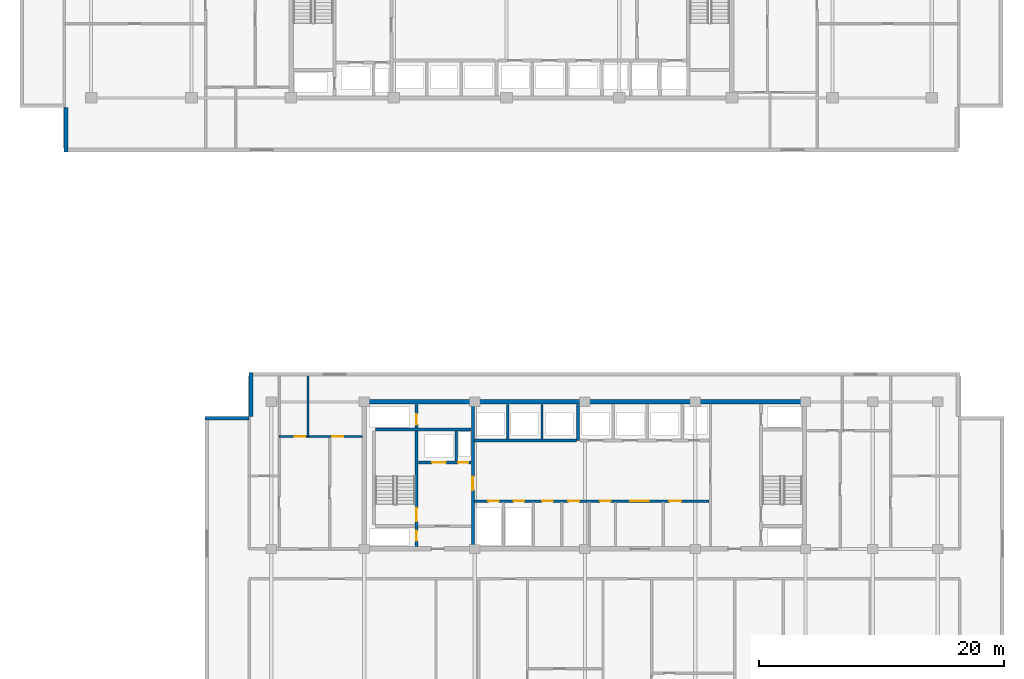
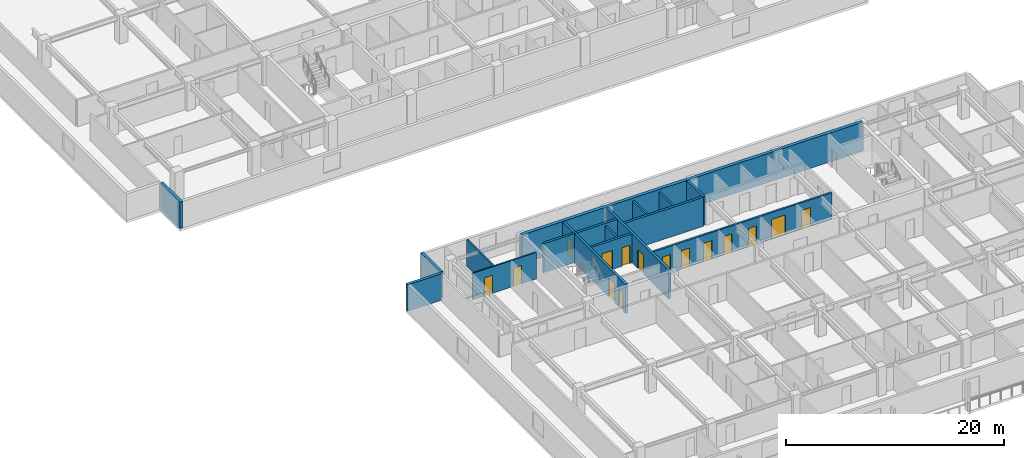
# One storey, part 6 of 21: 16 walls, 15 doors, 15 openings.
"""IFC4 building model written with IfcOpenShell, lengths in metres."""

from ifc_helpers import new_model, si_unit, direction, frame, frame_2d, origin, place, context, subcontext, project, spatial, rectangle, extrude, material, layer, layer_set, type_object, element, fill, save


model = new_model("IFC4")

# Units and contexts
model_context = context("Model", 3, precision=1e-05, world=origin(), true_north=direction((0.0, 1.0)))
body_context = subcontext(model_context, "Body", "Model", "MODEL_VIEW")
ifc_project = project(units=[si_unit("LENGTHUNIT", "METRE"), si_unit("AREAUNIT", "SQUARE_METRE"), si_unit("VOLUMEUNIT", "CUBIC_METRE"), si_unit("PLANEANGLEUNIT", "RADIAN"), si_unit("MASSUNIT", "GRAM", prefix="KILO")], contexts=[model_context])

# Site, building, storey
site_placement = place(None, origin())
site = spatial("IfcSite", under=ifc_project, at=site_placement, CompositionType="ELEMENT")
building_placement = place(site_placement, origin())
building = spatial("IfcBuilding", under=site, at=building_placement, Name="Korimba Cascade Residences", CompositionType="ELEMENT")
storey_placement = place(building_placement, frame((0.0, 0.0, 97.050048828125)))
storey = spatial("IfcBuildingStorey", under=building, at=storey_placement, Name="L27", CompositionType="ELEMENT", Elevation=97.050048828125)

# Walls
ifc_material_1 = material(Name="Precast concrete C40/50", Category="concrete")
ifc_layer_1 = layer(ifc_material_1, 0.300048828125)
ifc_layer_set_1 = layer_set([ifc_layer_1], Name="Precast concrete C40/50")
wall_type_1 = type_object("IfcWallType", Name="EW-STONE-300", PredefinedType="STANDARD", material=ifc_layer_set_1)
wall_1_placement = place(storey_placement, frame((57.75, 54.39990234375, 0.0), z_axis=(0.0, 0.0, 1.0), x_axis=(0.0, -1.0, 0.0)))
element("IfcWall", 1, at=wall_1_placement, inside=storey, type_object=wall_type_1, Name="L27 T1 Perimeter Stone Wall E11", PredefinedType="STANDARD", context=body_context, shape_type="SweptSolid", body=[
    extrude(rectangle(XDim=3.599853515625, YDim=0.300048828125, at=frame_2d((1.7998046875, 0.0))), origin(), (0.0, 0.0, 1.0), 2.969970703125),
])
wall_2_placement = place(storey_placement, frame((72.85009765625, 32.800048828125, 0.0), z_axis=(0.0, 0.0, 1.0), x_axis=(0.0, -1.0, 0.0)))
element("IfcWall", 2, at=wall_2_placement, inside=storey, type_object=wall_type_1, Name="L27 T2 Perimeter Stone Wall E07", PredefinedType="STANDARD", context=body_context, shape_type="SweptSolid", body=[
    extrude(rectangle(XDim=3.60009765625, YDim=0.300048828125, at=frame_2d((1.800048828125, 0.0))), origin(), (0.0, 0.0, 1.0), 2.969970703125),
])
wall_3_placement = place(storey_placement, frame((72.699951171875, 29.050048828125, 0.0), z_axis=(0.0, 0.0, 1.0), x_axis=(-1.0, 0.0, 0.0)))
element("IfcWall", 3, at=wall_3_placement, inside=storey, type_object=wall_type_1, Name="L27 T2 Perimeter Stone Wall E08", PredefinedType="STANDARD", context=body_context, shape_type="SweptSolid", body=[
    extrude(rectangle(XDim=3.599853515625, YDim=0.300048828125, at=frame_2d((1.7998046875, 0.0))), origin(), (0.0, 0.0, 1.0), 2.969970703125),
])
ifc_material_2 = material(Name="Concrete C65/80", Category="concrete")
ifc_layer_2 = layer(ifc_material_2, 0.35009765625)
ifc_layer_set_2 = layer_set([ifc_layer_2], Name="Concrete C65/80")
wall_type_2 = type_object("IfcWallType", Name="WAL-CORE-350", PredefinedType="SHEAR", material=ifc_layer_set_2)
wall_4_placement = place(storey_placement, frame((81.925048828125, 30.39990234375, 0.0), z_axis=(0.0, 0.0, 1.0), x_axis=(1.0, 0.0, 0.0)))
element("IfcWall", 4, at=wall_4_placement, inside=storey, type_object=wall_type_2, Name="L27 Core Shear Wall CW-L27-T2-N", PredefinedType="SHEAR", context=body_context, shape_type="SweptSolid", body=[
    extrude(rectangle(XDim=36.264892578125, YDim=0.35009765625, at=frame_2d((18.13232421875, 0.0))), origin(), (0.0, 0.0, 1.0), 3.25),
])
ifc_material_3 = material(Name="Insulated Acoustic Stud Partition", Category="gypsum")
ifc_layer_3 = layer(ifc_material_3, 0.14990234375)
ifc_layer_set_3 = layer_set([ifc_layer_3], Name="Insulated Acoustic Stud Partition")
wall_type_3 = type_object("IfcWallType", Name="WAL-PART-150", PredefinedType="PARTITIONING", material=ifc_layer_set_3)
wall_5_placement = place(storey_placement, frame((77.5, 27.570068359375, 0.0), z_axis=(0.0, 0.0, 1.0), x_axis=(0.0, 1.0, 0.0)))
element("IfcWall", 5, at=wall_5_placement, inside=storey, type_object=wall_type_3, Name="L27 Partition Wall WAL-L27-T2-FW-VN", PredefinedType="PARTITIONING", context=body_context, shape_type="SweptSolid", body=[
    extrude(rectangle(XDim=4.929931640625, YDim=0.14990234375, at=frame_2d((2.46484375, 0.0))), origin(), (0.0, 0.0, 1.0), 2.969970703125),
])

# Wall, openings, doors
wall_6_placement = place(storey_placement, frame((75.169921875, 27.570068359375, 0.0), z_axis=(0.0, 0.0, 1.0), x_axis=(1.0, 0.0, 0.0)))
wall_6 = element("IfcWall", 6, at=wall_6_placement, inside=storey, type_object=wall_type_3, Name="L27 Partition Wall WAL-L27-T2-FW-H", PredefinedType="PARTITIONING", context=body_context, shape_type="SweptSolid", body=[
    extrude(rectangle(XDim=6.760009765625, YDim=0.14990234375, at=frame_2d((3.3798828125, 0.0))), origin(), (0.0, 0.0, 1.0), 2.969970703125),
])
opening_1_placement = place(wall_6_placement, frame((1.266357421875, 0.0, 0.0)))
opening_1 = element("IfcOpeningElement", 7, at=opening_1_placement, cuts=wall_6, Name="Opening D-BT1", PredefinedType="OPENING", context=body_context, shape_type="SweptSolid", body=[
    extrude(rectangle(XDim=0.840087890625, YDim=2.0400390625, at=frame_2d((0.419921875, 1.02001953125))), frame((0.0, 0.0849609375, 0.0), z_axis=(0.0, -1.0, 0.0), x_axis=(1.0, 0.0, 0.0)), (0.0, 0.0, 1.0), 0.169921875),
])
opening_2_placement = place(wall_6_placement, frame((4.320068359375, 0.0, 0.0)))
opening_2 = element("IfcOpeningElement", 8, at=opening_2_placement, cuts=wall_6, Name="Opening D-IN2", PredefinedType="OPENING", context=body_context, shape_type="SweptSolid", body=[
    extrude(rectangle(XDim=0.8798828125, YDim=2.06005859375, at=frame_2d((0.43994140625, 1.030029296875))), frame((0.0, 0.0849609375, 0.0), z_axis=(0.0, -1.0, 0.0), x_axis=(1.0, 0.0, 0.0)), (0.0, 0.0, 1.0), 0.169921875),
])
ifc_material_4 = material(Name="Moisture-Resistant Bathroom Timber Door", Category="wood")
door_type_1 = type_object("IfcDoorType", Name="DR-INT-850", OperationType="NOTDEFINED", PredefinedType="DOOR", material=ifc_material_4)
door_1_placement = place(opening_1_placement, origin())
door_1 = element("IfcDoor", 9, at=door_1_placement, inside=storey, type_object=door_type_1, Name="L27-T2-FW Bathroom Door", OperationType="SINGLE_SWING_LEFT", OverallHeight=2.0400390625, OverallWidth=0.840087890625, PredefinedType="DOOR", context=body_context, shape_type="SweptSolid", body=[
    extrude(rectangle(XDim=0.840087890625, YDim=2.0400390625, at=frame_2d((0.419921875, 1.02001953125))), frame((0.0, 0.02490234375, 0.0), z_axis=(0.0, -1.0, 0.0), x_axis=(1.0, 0.0, 0.0)), (0.0, 0.0, 1.0), 0.050048828125),
])
fill(opening_1, door_1)
ifc_material_5 = material(Name="Acoustic Timber Bedroom Door", Category="wood")
door_type_2 = type_object("IfcDoorType", Name="DR-INT-880", OperationType="NOTDEFINED", PredefinedType="DOOR", material=ifc_material_5)
door_2_placement = place(opening_2_placement, origin())
door_2 = element("IfcDoor", 10, at=door_2_placement, inside=storey, type_object=door_type_2, Name="L27-T2-FW Bedroom Door", OperationType="SINGLE_SWING_RIGHT", OverallHeight=2.06005859375, OverallWidth=0.8798828125, PredefinedType="DOOR", context=body_context, shape_type="SweptSolid", body=[
    extrude(rectangle(XDim=0.8798828125, YDim=2.06005859375, at=frame_2d((0.43994140625, 1.030029296875))), frame((0.0, 0.02490234375, 0.0), z_axis=(0.0, -1.0, 0.0), x_axis=(1.0, 0.0, 0.0)), (0.0, 0.0, 1.0), 0.050048828125),
])
fill(opening_2, door_2)

# Walls
ifc_material_6 = material(Name="Concrete C40/50", Category="concrete")
ifc_layer_4 = layer(ifc_material_6, 0.199951171875)
ifc_layer_set_4 = layer_set([ifc_layer_4], Name="Concrete C40/50")
wall_type_4 = type_object("IfcWallType", Name="WAL-PART-200", PredefinedType="PARTITIONING", material=ifc_layer_set_4)
wall_7_placement = place(storey_placement, frame((89.60009765625, 25.580078125, 0.0), z_axis=(0.0, 0.0, 1.0), x_axis=(0.0, 1.0, 0.0)))
element("IfcWall", 11, at=wall_7_placement, inside=storey, type_object=wall_type_4, Name="L27 Partition Wall CW-L27-T2-FFLDIV", PredefinedType="PARTITIONING", context=body_context, shape_type="SweptSolid", body=[
    extrude(rectangle(XDim=2.419921875, YDim=0.199951171875, at=frame_2d((1.2099609375, 0.0))), origin(), (0.0, 0.0, 1.0), 2.969970703125),
])
for number, where, z_axis, x_axis, name in (
    (12, (93.800048828125, 27.3798828125, 0.0), (0.0, 0.0, 1.0), (0.0, 1.0, 0.0), "L27 Partition Wall CW-L27-T2-B1D1"),
    (13, (96.60009765625, 27.3798828125, 0.0), (0.0, 0.0, 1.0), (0.0, 1.0, 0.0), "L27 Partition Wall CW-L27-T2-B1D2"),
):
    element("IfcWall", number, at=place(storey_placement, frame(where, z_axis=z_axis, x_axis=x_axis)), inside=storey, type_object=wall_type_4, Name=name, PredefinedType="PARTITIONING", context=body_context, shape_type="SweptSolid", body=[
        extrude(rectangle(XDim=2.820068359375, YDim=0.199951171875, at=frame_2d((1.41015625, 0.0))), origin(), (0.0, 0.0, 1.0), 2.969970703125),
    ])

# Wall, openings, doors
wall_8_placement = place(storey_placement, frame((91.080078125, 22.300048828125, 0.0), z_axis=(0.0, 0.0, 1.0), x_axis=(1.0, 0.0, 0.0)))
wall_8 = element("IfcWall", 14, at=wall_8_placement, inside=storey, type_object=wall_type_4, Name="L27 Partition Wall CW-L27-T2-SRVROW", PredefinedType="PARTITIONING", context=body_context, shape_type="SweptSolid", body=[
    extrude(rectangle(XDim=19.139892578125, YDim=0.199951171875, at=frame_2d((9.56982421875, 0.0))), origin(), (0.0, 0.0, 1.0), 2.969970703125),
])
opening_3_placement = place(wall_8_placement, frame((1.14990234375, 0.0, 0.0)))
opening_3 = element("IfcOpeningElement", 15, at=opening_3_placement, cuts=wall_8, Name="Opening D-RS1", PredefinedType="OPENING", context=body_context, shape_type="SweptSolid", body=[
    extrude(rectangle(XDim=0.85009765625, YDim=2.050048828125, at=frame_2d((0.425048828125, 1.02490234375))), frame((0.0, 0.10986328125, 0.0), z_axis=(0.0, -1.0, 0.0), x_axis=(1.0, 0.0, 0.0)), (0.0, 0.0, 1.0), 0.219970703125),
])
opening_4_placement = place(wall_8_placement, frame((3.199951171875, 0.0, 0.0)))
opening_4 = element("IfcOpeningElement", 16, at=opening_4_placement, cuts=wall_8, Name="Opening D-RS1", PredefinedType="OPENING", context=body_context, shape_type="SweptSolid", body=[
    extrude(rectangle(XDim=0.85009765625, YDim=2.050048828125, at=frame_2d((0.425048828125, 1.02490234375))), frame((0.0, 0.10986328125, 0.0), z_axis=(0.0, -1.0, 0.0), x_axis=(1.0, 0.0, 0.0)), (0.0, 0.0, 1.0), 0.219970703125),
])
opening_5_placement = place(wall_8_placement, frame((12.719970703125, 0.0, 0.0)))
opening_5 = element("IfcOpeningElement", 17, at=opening_5_placement, cuts=wall_8, Name="Opening D-FD8", PredefinedType="OPENING", context=body_context, shape_type="SweptSolid", body=[
    extrude(rectangle(XDim=1.5, YDim=2.199951171875, at=frame_2d((0.75, 1.10009765625))), frame((0.0, 0.10986328125, 0.0), z_axis=(0.0, -1.0, 0.0), x_axis=(1.0, 0.0, 0.0)), (0.0, 0.0, 1.0), 0.219970703125),
])
opening_6_placement = place(wall_8_placement, frame((5.52001953125, 0.0, 0.0)))
opening_6 = element("IfcOpeningElement", 18, at=opening_6_placement, cuts=wall_8, Name="Opening D-IN2", PredefinedType="OPENING", context=body_context, shape_type="SweptSolid", body=[
    extrude(rectangle(XDim=0.8798828125, YDim=2.06005859375, at=frame_2d((0.43994140625, 1.030029296875))), frame((0.0, 0.10986328125, 0.0), z_axis=(0.0, -1.0, 0.0), x_axis=(1.0, 0.0, 0.0)), (0.0, 0.0, 1.0), 0.219970703125),
])
opening_7_placement = place(wall_8_placement, frame((7.669921875, 0.0, 0.0)))
opening_7 = element("IfcOpeningElement", 19, at=opening_7_placement, cuts=wall_8, Name="Opening D-IN2", PredefinedType="OPENING", context=body_context, shape_type="SweptSolid", body=[
    extrude(rectangle(XDim=0.8798828125, YDim=2.06005859375, at=frame_2d((0.43994140625, 1.030029296875))), frame((0.0, 0.10986328125, 0.0), z_axis=(0.0, -1.0, 0.0), x_axis=(1.0, 0.0, 0.0)), (0.0, 0.0, 1.0), 0.219970703125),
])
opening_8_placement = place(wall_8_placement, frame((10.27001953125, 0.0, 0.0)))
opening_8 = element("IfcOpeningElement", 20, at=opening_8_placement, cuts=wall_8, Name="Opening D-RS1", PredefinedType="OPENING", context=body_context, shape_type="SweptSolid", body=[
    extrude(rectangle(XDim=0.85009765625, YDim=2.050048828125, at=frame_2d((0.425048828125, 1.02490234375))), frame((0.0, 0.10986328125, 0.0), z_axis=(0.0, -1.0, 0.0), x_axis=(1.0, 0.0, 0.0)), (0.0, 0.0, 1.0), 0.219970703125),
])
opening_9_placement = place(wall_8_placement, frame((15.919921875, 0.0, 0.0)))
opening_9 = element("IfcOpeningElement", 21, at=opening_9_placement, cuts=wall_8, Name="Opening D-AC1", PredefinedType="OPENING", context=body_context, shape_type="SweptSolid", body=[
    extrude(rectangle(XDim=0.9599609375, YDim=2.10009765625, at=frame_2d((0.47998046875, 1.050048828125))), frame((0.0, 0.10986328125, 0.0), z_axis=(0.0, -1.0, 0.0), x_axis=(1.0, 0.0, 0.0)), (0.0, 0.0, 1.0), 0.219970703125),
])
ifc_material_7 = material(Name="Accessible Acoustic Timber WC Door", Category="wood")
door_type_3 = type_object("IfcDoorType", Name="DR-ACC-950", OperationType="NOTDEFINED", PredefinedType="DOOR", material=ifc_material_7)
door_3_placement = place(opening_9_placement, origin())
door_3 = element("IfcDoor", 22, at=door_3_placement, inside=storey, type_object=door_type_3, Name="L27 T2 Accessible Staff WC Door", OperationType="SINGLE_SWING_LEFT", OverallHeight=2.10009765625, OverallWidth=0.9599609375, PredefinedType="DOOR", context=body_context, shape_type="SweptSolid", body=[
    extrude(rectangle(XDim=0.9599609375, YDim=2.10009765625, at=frame_2d((0.47998046875, 1.050048828125))), frame((0.0, 0.02490234375, 0.0), z_axis=(0.0, -1.0, 0.0), x_axis=(1.0, 0.0, 0.0)), (0.0, 0.0, 1.0), 0.050048828125),
])
fill(opening_9, door_3)
ifc_material_8 = material(Name="Fire-Rated Steel Riser Access Door", Category="steel")
door_type_4 = type_object("IfcDoorType", Name="DR-FD60-850", OperationType="NOTDEFINED", PredefinedType="DOOR", material=ifc_material_8)
door_4_placement = place(opening_3_placement, origin())
door_4 = element("IfcDoor", 23, at=door_4_placement, inside=storey, type_object=door_type_4, Name="L27 T2 Electrical Riser Door", OperationType="SINGLE_SWING_RIGHT", OverallHeight=2.050048828125, OverallWidth=0.85009765625, PredefinedType="DOOR", context=body_context, shape_type="SweptSolid", body=[
    extrude(rectangle(XDim=0.85009765625, YDim=2.050048828125, at=frame_2d((0.425048828125, 1.02490234375))), frame((0.0, 0.02490234375, 0.0), z_axis=(0.0, -1.0, 0.0), x_axis=(1.0, 0.0, 0.0)), (0.0, 0.0, 1.0), 0.050048828125),
])
fill(opening_3, door_4)
door_5_placement = place(opening_4_placement, origin())
door_5 = element("IfcDoor", 24, at=door_5_placement, inside=storey, type_object=door_type_4, Name="L27 T2 Plumbing Riser Door", OperationType="SINGLE_SWING_LEFT", OverallHeight=2.050048828125, OverallWidth=0.85009765625, PredefinedType="DOOR", context=body_context, shape_type="SweptSolid", body=[
    extrude(rectangle(XDim=0.85009765625, YDim=2.050048828125, at=frame_2d((0.425048828125, 1.02490234375))), frame((0.0, 0.02490234375, 0.0), z_axis=(0.0, -1.0, 0.0), x_axis=(1.0, 0.0, 0.0)), (0.0, 0.0, 1.0), 0.050048828125),
])
fill(opening_4, door_5)
door_6_placement = place(opening_8_placement, origin())
door_6 = element("IfcDoor", 25, at=door_6_placement, inside=storey, type_object=door_type_4, Name="L27 T2 IT Room Door", OperationType="SINGLE_SWING_RIGHT", OverallHeight=2.050048828125, OverallWidth=0.85009765625, PredefinedType="DOOR", context=body_context, shape_type="SweptSolid", body=[
    extrude(rectangle(XDim=0.85009765625, YDim=2.050048828125, at=frame_2d((0.425048828125, 1.02490234375))), frame((0.0, 0.02490234375, 0.0), z_axis=(0.0, -1.0, 0.0), x_axis=(1.0, 0.0, 0.0)), (0.0, 0.0, 1.0), 0.050048828125),
])
fill(opening_8, door_6)
ifc_material_9 = material(Name="Fire-Rated Glazed Lift Lobby Double Door", Category="glass")
door_type_5 = type_object("IfcDoorType", Name="DR-FD90-1500", OperationType="NOTDEFINED", PredefinedType="DOOR", material=ifc_material_9)
door_7_placement = place(opening_5_placement, origin())
door_7 = element("IfcDoor", 26, at=door_7_placement, inside=storey, type_object=door_type_5, Name="L27 T2 Lift Lobby Foyer Door", OperationType="DOUBLE_DOOR_SINGLE_SWING", OverallHeight=2.199951171875, OverallWidth=1.5, PredefinedType="DOOR", context=body_context, shape_type="SweptSolid", body=[
    extrude(rectangle(XDim=1.5, YDim=2.199951171875, at=frame_2d((0.75, 1.10009765625))), frame((0.0, 0.02490234375, 0.0), z_axis=(0.0, -1.0, 0.0), x_axis=(1.0, 0.0, 0.0)), (0.0, 0.0, 1.0), 0.050048828125),
])
fill(opening_5, door_7)
door_8_placement = place(opening_6_placement, origin())
door_8 = element("IfcDoor", 27, at=door_8_placement, inside=storey, type_object=door_type_2, Name="L27 T2 Cleaners Door", OperationType="SINGLE_SWING_RIGHT", OverallHeight=2.06005859375, OverallWidth=0.8798828125, PredefinedType="DOOR", context=body_context, shape_type="SweptSolid", body=[
    extrude(rectangle(XDim=0.8798828125, YDim=2.06005859375, at=frame_2d((0.43994140625, 1.030029296875))), frame((0.0, 0.02490234375, 0.0), z_axis=(0.0, -1.0, 0.0), x_axis=(1.0, 0.0, 0.0)), (0.0, 0.0, 1.0), 0.050048828125),
])
fill(opening_6, door_8)
door_9_placement = place(opening_7_placement, origin())
door_9 = element("IfcDoor", 28, at=door_9_placement, inside=storey, type_object=door_type_2, Name="L27 T2 Pantry Door", OperationType="SINGLE_SWING_LEFT", OverallHeight=2.06005859375, OverallWidth=0.8798828125, PredefinedType="DOOR", context=body_context, shape_type="SweptSolid", body=[
    extrude(rectangle(XDim=0.8798828125, YDim=2.06005859375, at=frame_2d((0.43994140625, 1.030029296875))), frame((0.0, 0.02490234375, 0.0), z_axis=(0.0, -1.0, 0.0), x_axis=(1.0, 0.0, 0.0)), (0.0, 0.0, 1.0), 0.050048828125),
])
fill(opening_7, door_9)

ifc_material_10 = material(Name="Concrete C50/60", Category="concrete")
ifc_layer_5 = layer(ifc_material_10, 0.25)
ifc_layer_set_5 = layer_set([ifc_layer_5], Name="Concrete C50/60")
wall_type_5 = type_object("IfcWallType", Name="WAL-SHAFT-250", PredefinedType="SHEAR", material=ifc_layer_set_5)
wall_9_placement = place(storey_placement, frame((86.364990234375, 18.60009765625, 0.0), z_axis=(0.0, 0.0, 1.0), x_axis=(0.0, 1.0, 0.0)))
wall_9 = element("IfcWall", 29, at=wall_9_placement, inside=storey, type_object=wall_type_5, Name="L27 Core Shear Wall CW-L27-T2-STE1E", PredefinedType="SHEAR", context=body_context, shape_type="SweptSolid", body=[
    extrude(rectangle(XDim=11.599853515625, YDim=0.25, at=frame_2d((5.7998046875, 0.0))), origin(), (0.0, 0.0, 1.0), 3.25),
])
opening_10_placement = place(wall_9_placement, frame((0.449951171875, 0.0, 0.0)))
opening_10 = element("IfcOpeningElement", 30, at=opening_10_placement, cuts=wall_9, Name="Opening D-RS1", PredefinedType="OPENING", context=body_context, shape_type="SweptSolid", body=[
    extrude(rectangle(XDim=0.85009765625, YDim=2.050048828125, at=frame_2d((0.425048828125, 1.02490234375))), frame((0.0, 0.135009765625, 0.0), z_axis=(0.0, -1.0, 0.0), x_axis=(1.0, 0.0, 0.0)), (0.0, 0.0, 1.0), 0.27001953125),
])
opening_11_placement = place(wall_9_placement, frame((2.050048828125, 0.0, 0.0)))
opening_11 = element("IfcOpeningElement", 31, at=opening_11_placement, cuts=wall_9, Name="Opening D-FD1", PredefinedType="OPENING", context=body_context, shape_type="SweptSolid", body=[
    extrude(rectangle(XDim=1.10009765625, YDim=2.10009765625, at=frame_2d((0.550048828125, 1.050048828125))), frame((0.0, 0.135009765625, 0.0), z_axis=(0.0, -1.0, 0.0), x_axis=(1.0, 0.0, 0.0)), (0.0, 0.0, 1.0), 0.27001953125),
])
opening_12_placement = place(wall_9_placement, frame((9.949951171875, 0.0, 0.0)))
opening_12 = element("IfcOpeningElement", 32, at=opening_12_placement, cuts=wall_9, Name="Opening D-RS1", PredefinedType="OPENING", context=body_context, shape_type="SweptSolid", body=[
    extrude(rectangle(XDim=0.85009765625, YDim=2.050048828125, at=frame_2d((0.425048828125, 1.02490234375))), frame((0.0, 0.135009765625, 0.0), z_axis=(0.0, -1.0, 0.0), x_axis=(1.0, 0.0, 0.0)), (0.0, 0.0, 1.0), 0.27001953125),
])
ifc_material_11 = material(Name="Fire-Rated Steel Core Door", Category="steel")
door_type_6 = type_object("IfcDoorType", Name="DR-FD120-1100", OperationType="NOTDEFINED", PredefinedType="DOOR", material=ifc_material_11)
door_10_placement = place(opening_11_placement, origin())
door_10 = element("IfcDoor", 33, at=door_10_placement, inside=storey, type_object=door_type_6, Name="L27 Fire Stair ST-E1 Door", OperationType="SINGLE_SWING_RIGHT", OverallHeight=2.10009765625, OverallWidth=1.10009765625, PredefinedType="DOOR", context=body_context, shape_type="SweptSolid", body=[
    extrude(rectangle(XDim=1.10009765625, YDim=2.10009765625, at=frame_2d((0.550048828125, 1.050048828125))), frame((0.0, 0.02490234375, 0.0), z_axis=(0.0, -1.0, 0.0), x_axis=(1.0, 0.0, 0.0)), (0.0, 0.0, 1.0), 0.050048828125),
])
fill(opening_11, door_10)
door_11_placement = place(opening_10_placement, origin())
door_11 = element("IfcDoor", 34, at=door_11_placement, inside=storey, type_object=door_type_4, Name="L27 T2 Hydrant Riser Door", OperationType="SINGLE_SWING_LEFT", OverallHeight=2.050048828125, OverallWidth=0.85009765625, PredefinedType="DOOR", context=body_context, shape_type="SweptSolid", body=[
    extrude(rectangle(XDim=0.85009765625, YDim=2.050048828125, at=frame_2d((0.425048828125, 1.02490234375))), frame((0.0, 0.02490234375, 0.0), z_axis=(0.0, -1.0, 0.0), x_axis=(1.0, 0.0, 0.0)), (0.0, 0.0, 1.0), 0.050048828125),
])
fill(opening_10, door_11)
door_12_placement = place(opening_12_placement, origin())
door_12 = element("IfcDoor", 35, at=door_12_placement, inside=storey, type_object=door_type_4, Name="L27 T2 Smoke Shaft Door", OperationType="SINGLE_SWING_LEFT", OverallHeight=2.050048828125, OverallWidth=0.85009765625, PredefinedType="DOOR", context=body_context, shape_type="SweptSolid", body=[
    extrude(rectangle(XDim=0.85009765625, YDim=2.050048828125, at=frame_2d((0.425048828125, 1.02490234375))), frame((0.0, 0.02490234375, 0.0), z_axis=(0.0, -1.0, 0.0), x_axis=(1.0, 0.0, 0.0)), (0.0, 0.0, 1.0), 0.050048828125),
])
fill(opening_12, door_12)

# Wall
wall_10_placement = place(storey_placement, frame((83.0, 28.125, 0.0), z_axis=(0.0, 0.0, 1.0), x_axis=(1.0, 0.0, 0.0)))
element("IfcWall", 36, at=wall_10_placement, inside=storey, type_object=wall_type_5, Name="L27 Core Shear Wall CW-L27-T2-STE1N", PredefinedType="SHEAR", context=body_context, shape_type="SweptSolid", body=[
    extrude(rectangle(XDim=7.820068359375, YDim=0.25, at=frame_2d((3.91015625, 0.0))), origin(), (0.0, 0.0, 1.0), 3.25),
])

# Wall, openings, doors
wall_11_placement = place(storey_placement, frame((86.5, 25.449951171875, 0.0), z_axis=(0.0, 0.0, 1.0), x_axis=(1.0, 0.0, 0.0)))
wall_11 = element("IfcWall", 37, at=wall_11_placement, inside=storey, type_object=wall_type_5, Name="L27 Core Shear Wall CW-L27-T2-FFLN", PredefinedType="SHEAR", context=body_context, shape_type="SweptSolid", body=[
    extrude(rectangle(XDim=4.320068359375, YDim=0.25, at=frame_2d((2.16015625, 0.0))), origin(), (0.0, 0.0, 1.0), 3.25),
])
opening_13_placement = place(wall_11_placement, frame((1.139892578125, 0.0, 0.0)))
opening_13 = element("IfcOpeningElement", 38, at=opening_13_placement, cuts=wall_11, Name="Opening LD-01", PredefinedType="OPENING", context=body_context, shape_type="SweptSolid", body=[
    extrude(rectangle(XDim=1.1201171875, YDim=2.1201171875, at=frame_2d((0.56005859375, 1.06005859375))), frame((0.0, 0.135009765625, 0.0), z_axis=(0.0, -1.0, 0.0), x_axis=(1.0, 0.0, 0.0)), (0.0, 0.0, 1.0), 0.27001953125),
])
opening_14_placement = place(wall_11_placement, frame((3.25, 0.0, 0.0)))
opening_14 = element("IfcOpeningElement", 39, at=opening_14_placement, cuts=wall_11, Name="Opening D-RS1", PredefinedType="OPENING", context=body_context, shape_type="SweptSolid", body=[
    extrude(rectangle(XDim=0.85009765625, YDim=2.050048828125, at=frame_2d((0.425048828125, 1.02490234375))), frame((0.0, 0.135009765625, 0.0), z_axis=(0.0, -1.0, 0.0), x_axis=(1.0, 0.0, 0.0)), (0.0, 0.0, 1.0), 0.27001953125),
])
door_13_placement = place(opening_14_placement, origin())
door_13 = element("IfcDoor", 40, at=door_13_placement, inside=storey, type_object=door_type_4, Name="L27 T2 Pressurisation Riser Door", OperationType="SINGLE_SWING_RIGHT", OverallHeight=2.050048828125, OverallWidth=0.85009765625, PredefinedType="DOOR", context=body_context, shape_type="SweptSolid", body=[
    extrude(rectangle(XDim=0.85009765625, YDim=2.050048828125, at=frame_2d((0.425048828125, 1.02490234375))), frame((0.0, 0.02490234375, 0.0), z_axis=(0.0, -1.0, 0.0), x_axis=(1.0, 0.0, 0.0)), (0.0, 0.0, 1.0), 0.050048828125),
])
fill(opening_14, door_13)
ifc_material_12 = material(Name="Stainless Steel Lift Landing Sliding Door", Category="steel")
door_type_7 = type_object("IfcDoorType", Name="DR-LIFT-1100", OperationType="NOTDEFINED", PredefinedType="DOOR", material=ifc_material_12)
door_14_placement = place(opening_13_placement, origin())
door_14 = element("IfcDoor", 41, at=door_14_placement, inside=storey, type_object=door_type_7, Name="L27 Firefighting Lift Landing Door FFL-E1", OperationType="SLIDING_TO_RIGHT", OverallHeight=2.1201171875, OverallWidth=1.1201171875, PredefinedType="DOOR", context=body_context, shape_type="SweptSolid", body=[
    extrude(rectangle(XDim=1.1201171875, YDim=2.1201171875, at=frame_2d((0.56005859375, 1.06005859375))), frame((0.0, 0.02490234375, 0.0), z_axis=(0.0, -1.0, 0.0), x_axis=(1.0, 0.0, 0.0)), (0.0, 0.0, 1.0), 0.050048828125),
])
fill(opening_13, door_14)

# Wall, opening, door
wall_12_placement = place(storey_placement, frame((90.949951171875, 18.60009765625, 0.0), z_axis=(0.0, 0.0, 1.0), x_axis=(0.0, 1.0, 0.0)))
wall_12 = element("IfcWall", 42, at=wall_12_placement, inside=storey, type_object=wall_type_5, Name="L27 Core Shear Wall CW-L27-T2-FFLE", PredefinedType="SHEAR", context=body_context, shape_type="SweptSolid", body=[
    extrude(rectangle(XDim=11.599853515625, YDim=0.25, at=frame_2d((5.7998046875, 0.0))), origin(), (0.0, 0.0, 1.0), 3.25),
])
opening_15_placement = place(wall_12_placement, frame((4.60009765625, 0.0, 0.0)))
opening_15 = element("IfcOpeningElement", 43, at=opening_15_placement, cuts=wall_12, Name="Opening D-FD1", PredefinedType="OPENING", context=body_context, shape_type="SweptSolid", body=[
    extrude(rectangle(XDim=1.10009765625, YDim=2.10009765625, at=frame_2d((0.550048828125, 1.050048828125))), frame((0.0, 0.135009765625, 0.0), z_axis=(0.0, -1.0, 0.0), x_axis=(1.0, 0.0, 0.0)), (0.0, 0.0, 1.0), 0.27001953125),
])
door_15_placement = place(opening_15_placement, origin())
door_15 = element("IfcDoor", 44, at=door_15_placement, inside=storey, type_object=door_type_6, Name="L27 T2 Firefighting Lobby to Lift Lobby Door", OperationType="SINGLE_SWING_RIGHT", OverallHeight=2.10009765625, OverallWidth=1.10009765625, PredefinedType="DOOR", context=body_context, shape_type="SweptSolid", body=[
    extrude(rectangle(XDim=1.10009765625, YDim=2.10009765625, at=frame_2d((0.550048828125, 1.050048828125))), frame((0.0, 0.02490234375, 0.0), z_axis=(0.0, -1.0, 0.0), x_axis=(1.0, 0.0, 0.0)), (0.0, 0.0, 1.0), 0.050048828125),
])
fill(opening_15, door_15)

# Walls
wall_13_placement = place(storey_placement, frame((91.080078125, 27.25, 0.0), z_axis=(0.0, 0.0, 1.0), x_axis=(1.0, 0.0, 0.0)))
element("IfcWall", 45, at=wall_13_placement, inside=storey, type_object=wall_type_5, Name="L27 Core Shear Wall CW-L27-T2-B1S", PredefinedType="SHEAR", context=body_context, shape_type="SweptSolid", body=[
    extrude(rectangle(XDim=8.33984375, YDim=0.25, at=frame_2d((4.169921875, 0.0))), origin(), (0.0, 0.0, 1.0), 3.25),
])
wall_14_placement = place(storey_placement, frame((99.550048828125, 27.25, 0.0), z_axis=(0.0, 0.0, 1.0), x_axis=(0.0, 1.0, 0.0)))
element("IfcWall", 46, at=wall_14_placement, inside=storey, type_object=wall_type_5, Name="L27 Core Shear Wall CW-L27-T2-B12DIV", PredefinedType="SHEAR", context=body_context, shape_type="SweptSolid", body=[
    extrude(rectangle(XDim=2.949951171875, YDim=0.25, at=frame_2d((1.47509765625, 0.0))), origin(), (0.0, 0.0, 1.0), 3.25),
])

save(model, "model.ifc")
